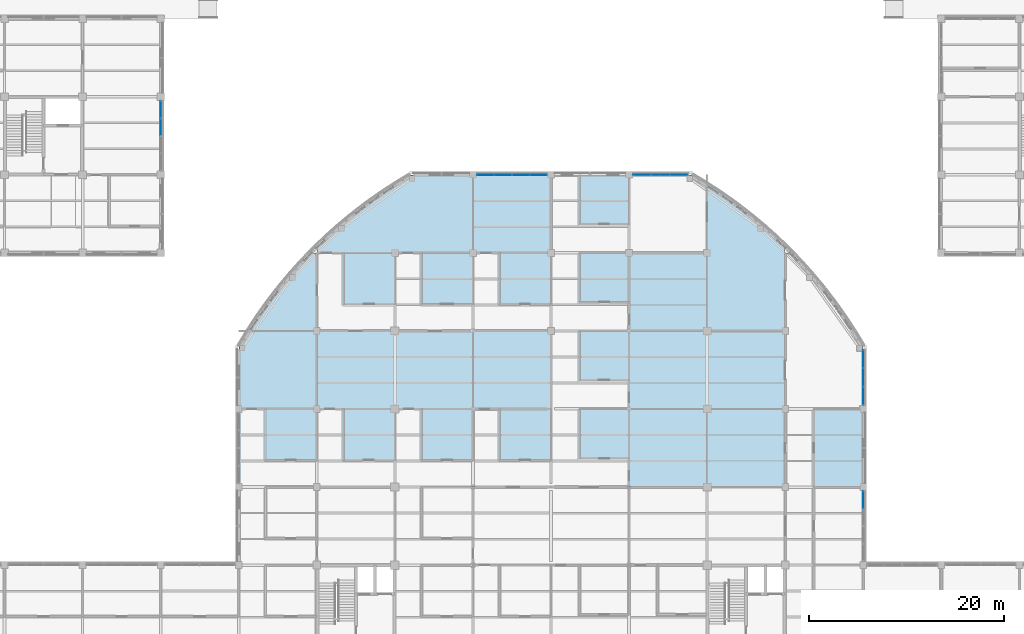
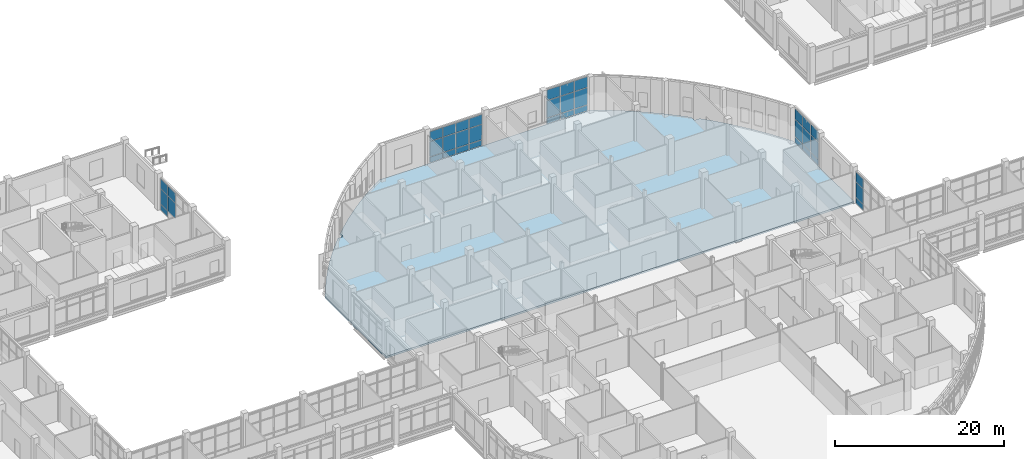
# One storey, part 53 of 105: 38 plates, 1 slab, 5 elements without a shape of their own.
"""IFC4 building model written with IfcOpenShell, lengths in metres."""

from ifc_helpers import new_model, si_unit, derived_unit, direction, frame, origin, origin_2d, place, context, subcontext, project, spatial, polyline, rectangle, outline, extrude, material, layer, layer_set, type_object, element, aggregate, save


model = new_model("IFC4")

# Units and contexts
model_context = context("Model", 3, precision=1e-05, world=origin(), true_north=direction((0.0, 1.0)))
body_context = subcontext(model_context, "Body", "Model", "MODEL_VIEW")
ifc_project = project(units=[si_unit("LENGTHUNIT", "METRE"), si_unit("AREAUNIT", "SQUARE_METRE"), si_unit("VOLUMEUNIT", "CUBIC_METRE"), si_unit("PLANEANGLEUNIT", "RADIAN"), si_unit("MASSUNIT", "GRAM", prefix="KILO"), derived_unit("THERMALTRANSMITTANCEUNIT", [(si_unit("MASSUNIT", "GRAM", prefix="KILO"), 1), (si_unit("TIMEUNIT", "SECOND"), -3), (si_unit("THERMODYNAMICTEMPERATUREUNIT", "KELVIN"), -1)])], contexts=[model_context])

# Site, building, storey
site_placement = place(None, origin())
site = spatial("IfcSite", under=ifc_project, at=site_placement, CompositionType="ELEMENT")
building_placement = place(site_placement, origin())
building = spatial("IfcBuilding", under=site, at=building_placement, Name="Veyamyaing Civic Hall", CompositionType="ELEMENT")
storey_placement = place(building_placement, origin())
storey = spatial("IfcBuildingStorey", under=building, at=storey_placement, Name="L00", CompositionType="ELEMENT", Elevation=0.0)

# Curtain wall, plates
ifc_material_1 = material(Name="Anodised aluminium 6063-T6", Category="aluminium")
ifc_layer_1 = layer(ifc_material_1, 0.159912109375, Name="Anodised aluminium 6063-T6")
ifc_layer_set_1 = layer_set([ifc_layer_1], Name="Anodised aluminium 6063-T6")
curtain_wall_type_1 = type_object("IfcCurtainWallType", Name="CW-01", PredefinedType="NOTDEFINED", material=ifc_layer_set_1)
curtain_wall_1_placement = place(storey_placement, origin())
curtain_wall_1 = element("IfcCurtainWall", 1, at=curtain_wall_1_placement, inside=storey, type_object=curtain_wall_type_1, Name="Unitized curtain wall CW-01 L00 E 6.13", PredefinedType="NOTDEFINED")
ifc_material_2 = material(Name="Low-E insulated glass", Category="glass")
ifc_layer_2 = layer(ifc_material_2, 0.028076171875, Name="Low-E insulated glass")
ifc_layer_set_2 = layer_set([ifc_layer_2], Name="Low-E insulated glass")
plate_type_1 = type_object("IfcPlateType", Name="CWP-01", PredefinedType="CURTAIN_PANEL", material=ifc_layer_set_2)
plate_1_placement = place(storey_placement, frame((48.0, 100.898681640625, 0.9326171875), z_axis=(0.0, 0.0, 1.0), x_axis=(0.0, 1.0, 0.0)))
plate_1 = element("IfcPlate", 2, at=plate_1_placement, type_object=plate_type_1, Name="CW-01 panel 3.2", PredefinedType="CURTAIN_PANEL", context=body_context, shape_type="SweptSolid", body=[
    extrude(rectangle(XDim=1.732421875, YDim=0.028076171875, at=origin_2d()), origin(), (0.0, 0.0, 1.0), 2.172607421875),
])
plate_2_placement = place(storey_placement, frame((48.0, 100.898681640625, 3.170166015625), z_axis=(0.0, 0.0, 1.0), x_axis=(0.0, 1.0, 0.0)))
plate_2 = element("IfcPlate", 3, at=plate_2_placement, type_object=plate_type_1, Name="CW-01 panel 3.3", PredefinedType="CURTAIN_PANEL", context=body_context, shape_type="SweptSolid", body=[
    extrude(rectangle(XDim=1.732421875, YDim=0.028076171875, at=origin_2d()), origin(), (0.0, 0.0, 1.0), 1.37890625),
])
plate_3_placement = place(storey_placement, frame((48.0, 102.679931640625, 0.06494140625), z_axis=(0.0, 0.0, 1.0), x_axis=(0.0, 1.0, 0.0)))
plate_3 = element("IfcPlate", 4, at=plate_3_placement, type_object=plate_type_1, Name="CW-01 panel 4.1", PredefinedType="CURTAIN_PANEL", context=body_context, shape_type="SweptSolid", body=[
    extrude(rectangle(XDim=1.699951171875, YDim=0.028076171875, at=origin_2d()), origin(), (0.0, 0.0, 1.0), 0.802490234375),
])
plate_4_placement = place(storey_placement, frame((48.0, 102.679931640625, 0.9326171875), z_axis=(0.0, 0.0, 1.0), x_axis=(0.0, 1.0, 0.0)))
plate_4 = element("IfcPlate", 5, at=plate_4_placement, type_object=plate_type_1, Name="CW-01 panel 4.2", PredefinedType="CURTAIN_PANEL", context=body_context, shape_type="SweptSolid", body=[
    extrude(rectangle(XDim=1.699951171875, YDim=0.028076171875, at=origin_2d()), origin(), (0.0, 0.0, 1.0), 2.172607421875),
])
plate_5_placement = place(storey_placement, frame((48.0, 102.679931640625, 3.170166015625), z_axis=(0.0, 0.0, 1.0), x_axis=(0.0, 1.0, 0.0)))
plate_5 = element("IfcPlate", 6, at=plate_5_placement, type_object=plate_type_1, Name="CW-01 panel 4.3", PredefinedType="CURTAIN_PANEL", context=body_context, shape_type="SweptSolid", body=[
    extrude(rectangle(XDim=1.699951171875, YDim=0.028076171875, at=origin_2d()), origin(), (0.0, 0.0, 1.0), 1.37890625),
])
aggregate(curtain_wall_1, [plate_1, plate_2, plate_3, plate_4, plate_5])

ifc_layer_3 = layer(ifc_material_1, 0.179931640625, Name="Anodised aluminium 6063-T6")
ifc_layer_set_3 = layer_set([ifc_layer_3], Name="Anodised aluminium 6063-T6")
curtain_wall_type_2 = type_object("IfcCurtainWallType", Name="CW-06", PredefinedType="NOTDEFINED", material=ifc_layer_set_3)
curtain_wall_2_placement = place(storey_placement, origin())
curtain_wall_2 = element("IfcCurtainWall", 7, at=curtain_wall_2_placement, inside=storey, type_object=curtain_wall_type_2, Name="Unitized curtain wall CW-06 L00 N 13.12", PredefinedType="NOTDEFINED")
plate_6_placement = place(storey_placement, frame((97.349609375, 96.0, 0.06494140625), z_axis=(0.0, 0.0, 1.0), x_axis=(1.0, 0.0, 0.0)))
plate_6 = element("IfcPlate", 8, at=plate_6_placement, type_object=plate_type_1, Name="CW-06 panel 1.1", PredefinedType="CURTAIN_PANEL", context=body_context, shape_type="SweptSolid", body=[
    extrude(rectangle(XDim=1.809326171875, YDim=0.028076171875, at=origin_2d()), origin(), (0.0, 0.0, 1.0), 0.802490234375),
])
plate_7_placement = place(storey_placement, frame((97.349609375, 96.0, 0.9326171875), z_axis=(0.0, 0.0, 1.0), x_axis=(1.0, 0.0, 0.0)))
plate_7 = element("IfcPlate", 9, at=plate_7_placement, type_object=plate_type_1, Name="CW-06 panel 1.2", PredefinedType="CURTAIN_PANEL", context=body_context, shape_type="SweptSolid", body=[
    extrude(rectangle(XDim=1.809326171875, YDim=0.028076171875, at=origin_2d()), origin(), (0.0, 0.0, 1.0), 2.458740234375),
])
plate_8_placement = place(storey_placement, frame((97.349609375, 96.0, 3.456298828125), z_axis=(0.0, 0.0, 1.0), x_axis=(1.0, 0.0, 0.0)))
plate_8 = element("IfcPlate", 10, at=plate_8_placement, type_object=plate_type_1, Name="CW-06 panel 1.3", PredefinedType="CURTAIN_PANEL", context=body_context, shape_type="SweptSolid", body=[
    extrude(rectangle(XDim=1.809326171875, YDim=0.028076171875, at=origin_2d()), origin(), (0.0, 0.0, 1.0), 1.513671875),
])
plate_9_placement = place(storey_placement, frame((99.240478515625, 96.0, 0.06494140625), z_axis=(0.0, 0.0, 1.0), x_axis=(1.0, 0.0, 0.0)))
plate_9 = element("IfcPlate", 11, at=plate_9_placement, type_object=plate_type_1, Name="CW-06 panel 2.1", PredefinedType="CURTAIN_PANEL", context=body_context, shape_type="SweptSolid", body=[
    extrude(rectangle(XDim=1.842041015625, YDim=0.028076171875, at=origin_2d()), origin(), (0.0, 0.0, 1.0), 0.802490234375),
])
plate_10_placement = place(storey_placement, frame((99.240478515625, 96.0, 0.9326171875), z_axis=(0.0, 0.0, 1.0), x_axis=(1.0, 0.0, 0.0)))
plate_10 = element("IfcPlate", 12, at=plate_10_placement, type_object=plate_type_1, Name="CW-06 panel 2.2", PredefinedType="CURTAIN_PANEL", context=body_context, shape_type="SweptSolid", body=[
    extrude(rectangle(XDim=1.842041015625, YDim=0.028076171875, at=origin_2d()), origin(), (0.0, 0.0, 1.0), 2.458740234375),
])
plate_11_placement = place(storey_placement, frame((99.240478515625, 96.0, 3.456298828125), z_axis=(0.0, 0.0, 1.0), x_axis=(1.0, 0.0, 0.0)))
plate_11 = element("IfcPlate", 13, at=plate_11_placement, type_object=plate_type_1, Name="CW-06 panel 2.3", PredefinedType="CURTAIN_PANEL", context=body_context, shape_type="SweptSolid", body=[
    extrude(rectangle(XDim=1.842041015625, YDim=0.028076171875, at=origin_2d()), origin(), (0.0, 0.0, 1.0), 1.513671875),
])
plate_12_placement = place(storey_placement, frame((101.131103515625, 96.0, 0.06494140625), z_axis=(0.0, 0.0, 1.0), x_axis=(1.0, 0.0, 0.0)))
plate_12 = element("IfcPlate", 14, at=plate_12_placement, type_object=plate_type_1, Name="CW-06 panel 3.1", PredefinedType="CURTAIN_PANEL", context=body_context, shape_type="SweptSolid", body=[
    extrude(rectangle(XDim=1.809326171875, YDim=0.028076171875, at=origin_2d()), origin(), (0.0, 0.0, 1.0), 0.802490234375),
])
plate_13_placement = place(storey_placement, frame((101.131103515625, 96.0, 0.9326171875), z_axis=(0.0, 0.0, 1.0), x_axis=(1.0, 0.0, 0.0)))
plate_13 = element("IfcPlate", 15, at=plate_13_placement, type_object=plate_type_1, Name="CW-06 panel 3.2", PredefinedType="CURTAIN_PANEL", context=body_context, shape_type="SweptSolid", body=[
    extrude(rectangle(XDim=1.809326171875, YDim=0.028076171875, at=origin_2d()), origin(), (0.0, 0.0, 1.0), 2.458740234375),
])
plate_14_placement = place(storey_placement, frame((101.131103515625, 96.0, 3.456298828125), z_axis=(0.0, 0.0, 1.0), x_axis=(1.0, 0.0, 0.0)))
plate_14 = element("IfcPlate", 16, at=plate_14_placement, type_object=plate_type_1, Name="CW-06 panel 3.3", PredefinedType="CURTAIN_PANEL", context=body_context, shape_type="SweptSolid", body=[
    extrude(rectangle(XDim=1.809326171875, YDim=0.028076171875, at=origin_2d()), origin(), (0.0, 0.0, 1.0), 1.513671875),
])
aggregate(curtain_wall_2, [plate_6, plate_7, plate_8, plate_9, plate_10, plate_11, plate_12, plate_13, plate_14])

curtain_wall_3_placement = place(storey_placement, origin())
curtain_wall_3 = element("IfcCurtainWall", 17, at=curtain_wall_3_placement, inside=storey, type_object=curtain_wall_type_2, Name="Unitized curtain wall CW-06 L00 E 15.10", PredefinedType="NOTDEFINED")
plate_15_placement = place(storey_placement, frame((120.0, 73.349609375, 0.06494140625), z_axis=(0.0, 0.0, 1.0), x_axis=(0.0, 1.0, 0.0)))
plate_15 = element("IfcPlate", 18, at=plate_15_placement, type_object=plate_type_1, Name="CW-06 panel 1.1", PredefinedType="CURTAIN_PANEL", context=body_context, shape_type="SweptSolid", body=[
    extrude(rectangle(XDim=1.809326171875, YDim=0.028076171875, at=origin_2d()), origin(), (0.0, 0.0, 1.0), 0.802490234375),
])
plate_16_placement = place(storey_placement, frame((120.0, 73.349609375, 0.9326171875), z_axis=(0.0, 0.0, 1.0), x_axis=(0.0, 1.0, 0.0)))
plate_16 = element("IfcPlate", 19, at=plate_16_placement, type_object=plate_type_1, Name="CW-06 panel 1.2", PredefinedType="CURTAIN_PANEL", context=body_context, shape_type="SweptSolid", body=[
    extrude(rectangle(XDim=1.809326171875, YDim=0.028076171875, at=origin_2d()), origin(), (0.0, 0.0, 1.0), 2.458740234375),
])
plate_17_placement = place(storey_placement, frame((120.0, 73.349609375, 3.456298828125), z_axis=(0.0, 0.0, 1.0), x_axis=(0.0, 1.0, 0.0)))
plate_17 = element("IfcPlate", 20, at=plate_17_placement, type_object=plate_type_1, Name="CW-06 panel 1.3", PredefinedType="CURTAIN_PANEL", context=body_context, shape_type="SweptSolid", body=[
    extrude(rectangle(XDim=1.809326171875, YDim=0.028076171875, at=origin_2d()), origin(), (0.0, 0.0, 1.0), 1.513671875),
])
plate_18_placement = place(storey_placement, frame((120.0, 75.240478515625, 0.06494140625), z_axis=(0.0, 0.0, 1.0), x_axis=(0.0, 1.0, 0.0)))
plate_18 = element("IfcPlate", 21, at=plate_18_placement, type_object=plate_type_1, Name="CW-06 panel 2.1", PredefinedType="CURTAIN_PANEL", context=body_context, shape_type="SweptSolid", body=[
    extrude(rectangle(XDim=1.842041015625, YDim=0.028076171875, at=origin_2d()), origin(), (0.0, 0.0, 1.0), 0.802490234375),
])
plate_19_placement = place(storey_placement, frame((120.0, 75.240478515625, 0.9326171875), z_axis=(0.0, 0.0, 1.0), x_axis=(0.0, 1.0, 0.0)))
plate_19 = element("IfcPlate", 22, at=plate_19_placement, type_object=plate_type_1, Name="CW-06 panel 2.2", PredefinedType="CURTAIN_PANEL", context=body_context, shape_type="SweptSolid", body=[
    extrude(rectangle(XDim=1.842041015625, YDim=0.028076171875, at=origin_2d()), origin(), (0.0, 0.0, 1.0), 2.458740234375),
])
plate_20_placement = place(storey_placement, frame((120.0, 75.240478515625, 3.456298828125), z_axis=(0.0, 0.0, 1.0), x_axis=(0.0, 1.0, 0.0)))
plate_20 = element("IfcPlate", 23, at=plate_20_placement, type_object=plate_type_1, Name="CW-06 panel 2.3", PredefinedType="CURTAIN_PANEL", context=body_context, shape_type="SweptSolid", body=[
    extrude(rectangle(XDim=1.842041015625, YDim=0.028076171875, at=origin_2d()), origin(), (0.0, 0.0, 1.0), 1.513671875),
])
plate_21_placement = place(storey_placement, frame((120.0, 77.131103515625, 0.06494140625), z_axis=(0.0, 0.0, 1.0), x_axis=(0.0, 1.0, 0.0)))
plate_21 = element("IfcPlate", 24, at=plate_21_placement, type_object=plate_type_1, Name="CW-06 panel 3.1", PredefinedType="CURTAIN_PANEL", context=body_context, shape_type="SweptSolid", body=[
    extrude(rectangle(XDim=1.809326171875, YDim=0.028076171875, at=origin_2d()), origin(), (0.0, 0.0, 1.0), 0.802490234375),
])
plate_22_placement = place(storey_placement, frame((120.0, 77.131103515625, 0.9326171875), z_axis=(0.0, 0.0, 1.0), x_axis=(0.0, 1.0, 0.0)))
plate_22 = element("IfcPlate", 25, at=plate_22_placement, type_object=plate_type_1, Name="CW-06 panel 3.2", PredefinedType="CURTAIN_PANEL", context=body_context, shape_type="SweptSolid", body=[
    extrude(rectangle(XDim=1.809326171875, YDim=0.028076171875, at=origin_2d()), origin(), (0.0, 0.0, 1.0), 2.458740234375),
])
plate_23_placement = place(storey_placement, frame((120.0, 77.131103515625, 3.456298828125), z_axis=(0.0, 0.0, 1.0), x_axis=(0.0, 1.0, 0.0)))
plate_23 = element("IfcPlate", 26, at=plate_23_placement, type_object=plate_type_1, Name="CW-06 panel 3.3", PredefinedType="CURTAIN_PANEL", context=body_context, shape_type="SweptSolid", body=[
    extrude(rectangle(XDim=1.809326171875, YDim=0.028076171875, at=origin_2d()), origin(), (0.0, 0.0, 1.0), 1.513671875),
])
aggregate(curtain_wall_3, [plate_15, plate_16, plate_17, plate_18, plate_19, plate_20, plate_21, plate_22, plate_23])

curtain_wall_4_placement = place(storey_placement, origin())
curtain_wall_4 = element("IfcCurtainWall", 27, at=curtain_wall_4_placement, inside=storey, type_object=curtain_wall_type_2, Name="Unitized curtain wall CW-06 L00 N 11.12", PredefinedType="NOTDEFINED")
ifc_layer_4 = layer(ifc_material_2, 0.0400390625, Name="Low-E insulated glass")
ifc_layer_set_4 = layer_set([ifc_layer_4], Name="Low-E insulated glass")
plate_type_2 = type_object("IfcPlateType", Name="CWP-05", PredefinedType="CURTAIN_PANEL", material=ifc_layer_set_4)
plate_24_placement = place(storey_placement, frame((81.30126953125, 96.0, 0.06494140625), z_axis=(0.0, 0.0, 1.0), x_axis=(1.0, 0.0, 0.0)))
plate_24 = element("IfcPlate", 28, at=plate_24_placement, type_object=plate_type_2, Name="CW-06 panel 1.1", PredefinedType="CURTAIN_PANEL", context=body_context, shape_type="SweptSolid", body=[
    extrude(rectangle(XDim=1.71240234375, YDim=0.0400390625, at=origin_2d()), origin(), (0.0, 0.0, 1.0), 0.802490234375),
])
plate_25_placement = place(storey_placement, frame((81.30126953125, 96.0, 0.9326171875), z_axis=(0.0, 0.0, 1.0), x_axis=(1.0, 0.0, 0.0)))
plate_25 = element("IfcPlate", 29, at=plate_25_placement, type_object=plate_type_2, Name="CW-06 panel 1.2", PredefinedType="CURTAIN_PANEL", context=body_context, shape_type="SweptSolid", body=[
    extrude(rectangle(XDim=1.71240234375, YDim=0.0400390625, at=origin_2d()), origin(), (0.0, 0.0, 1.0), 2.172607421875),
])
plate_26_placement = place(storey_placement, frame((81.30126953125, 96.0, 3.170166015625), z_axis=(0.0, 0.0, 1.0), x_axis=(1.0, 0.0, 0.0)))
plate_26 = element("IfcPlate", 30, at=plate_26_placement, type_object=plate_type_2, Name="CW-06 panel 1.3", PredefinedType="CURTAIN_PANEL", context=body_context, shape_type="SweptSolid", body=[
    extrude(rectangle(XDim=1.71240234375, YDim=0.0400390625, at=origin_2d()), origin(), (0.0, 0.0, 1.0), 1.37890625),
])
plate_27_placement = place(storey_placement, frame((83.094970703125, 96.0, 0.06494140625), z_axis=(0.0, 0.0, 1.0), x_axis=(1.0, 0.0, 0.0)))
plate_27 = element("IfcPlate", 31, at=plate_27_placement, type_object=plate_type_2, Name="CW-06 panel 2.1", PredefinedType="CURTAIN_PANEL", context=body_context, shape_type="SweptSolid", body=[
    extrude(rectangle(XDim=1.7451171875, YDim=0.0400390625, at=origin_2d()), origin(), (0.0, 0.0, 1.0), 0.802490234375),
])
plate_28_placement = place(storey_placement, frame((83.094970703125, 96.0, 0.9326171875), z_axis=(0.0, 0.0, 1.0), x_axis=(1.0, 0.0, 0.0)))
plate_28 = element("IfcPlate", 32, at=plate_28_placement, type_object=plate_type_2, Name="CW-06 panel 2.2", PredefinedType="CURTAIN_PANEL", context=body_context, shape_type="SweptSolid", body=[
    extrude(rectangle(XDim=1.7451171875, YDim=0.0400390625, at=origin_2d()), origin(), (0.0, 0.0, 1.0), 2.172607421875),
])
plate_29_placement = place(storey_placement, frame((83.094970703125, 96.0, 3.170166015625), z_axis=(0.0, 0.0, 1.0), x_axis=(1.0, 0.0, 0.0)))
plate_29 = element("IfcPlate", 33, at=plate_29_placement, type_object=plate_type_2, Name="CW-06 panel 2.3", PredefinedType="CURTAIN_PANEL", context=body_context, shape_type="SweptSolid", body=[
    extrude(rectangle(XDim=1.7451171875, YDim=0.0400390625, at=origin_2d()), origin(), (0.0, 0.0, 1.0), 1.37890625),
])
plate_30_placement = place(storey_placement, frame((84.905029296875, 96.0, 0.06494140625), z_axis=(0.0, 0.0, 1.0), x_axis=(1.0, 0.0, 0.0)))
plate_30 = element("IfcPlate", 34, at=plate_30_placement, type_object=plate_type_2, Name="CW-06 panel 3.1", PredefinedType="CURTAIN_PANEL", context=body_context, shape_type="SweptSolid", body=[
    extrude(rectangle(XDim=1.7451171875, YDim=0.0400390625, at=origin_2d()), origin(), (0.0, 0.0, 1.0), 0.802490234375),
])
plate_31_placement = place(storey_placement, frame((84.905029296875, 96.0, 0.9326171875), z_axis=(0.0, 0.0, 1.0), x_axis=(1.0, 0.0, 0.0)))
plate_31 = element("IfcPlate", 35, at=plate_31_placement, type_object=plate_type_2, Name="CW-06 panel 3.2", PredefinedType="CURTAIN_PANEL", context=body_context, shape_type="SweptSolid", body=[
    extrude(rectangle(XDim=1.7451171875, YDim=0.0400390625, at=origin_2d()), origin(), (0.0, 0.0, 1.0), 2.172607421875),
])
plate_32_placement = place(storey_placement, frame((84.905029296875, 96.0, 3.170166015625), z_axis=(0.0, 0.0, 1.0), x_axis=(1.0, 0.0, 0.0)))
plate_32 = element("IfcPlate", 36, at=plate_32_placement, type_object=plate_type_2, Name="CW-06 panel 3.3", PredefinedType="CURTAIN_PANEL", context=body_context, shape_type="SweptSolid", body=[
    extrude(rectangle(XDim=1.7451171875, YDim=0.0400390625, at=origin_2d()), origin(), (0.0, 0.0, 1.0), 1.37890625),
])
plate_33_placement = place(storey_placement, frame((86.69873046875, 96.0, 0.06494140625), z_axis=(0.0, 0.0, 1.0), x_axis=(1.0, 0.0, 0.0)))
plate_33 = element("IfcPlate", 37, at=plate_33_placement, type_object=plate_type_2, Name="CW-06 panel 4.1", PredefinedType="CURTAIN_PANEL", context=body_context, shape_type="SweptSolid", body=[
    extrude(rectangle(XDim=1.71240234375, YDim=0.0400390625, at=origin_2d()), origin(), (0.0, 0.0, 1.0), 0.802490234375),
])
plate_34_placement = place(storey_placement, frame((86.69873046875, 96.0, 0.9326171875), z_axis=(0.0, 0.0, 1.0), x_axis=(1.0, 0.0, 0.0)))
plate_34 = element("IfcPlate", 38, at=plate_34_placement, type_object=plate_type_2, Name="CW-06 panel 4.2", PredefinedType="CURTAIN_PANEL", context=body_context, shape_type="SweptSolid", body=[
    extrude(rectangle(XDim=1.71240234375, YDim=0.0400390625, at=origin_2d()), origin(), (0.0, 0.0, 1.0), 2.172607421875),
])
plate_35_placement = place(storey_placement, frame((86.69873046875, 96.0, 3.170166015625), z_axis=(0.0, 0.0, 1.0), x_axis=(1.0, 0.0, 0.0)))
plate_35 = element("IfcPlate", 39, at=plate_35_placement, type_object=plate_type_2, Name="CW-06 panel 4.3", PredefinedType="CURTAIN_PANEL", context=body_context, shape_type="SweptSolid", body=[
    extrude(rectangle(XDim=1.71240234375, YDim=0.0400390625, at=origin_2d()), origin(), (0.0, 0.0, 1.0), 1.37890625),
])
aggregate(curtain_wall_4, [plate_24, plate_25, plate_26, plate_27, plate_28, plate_29, plate_30, plate_31, plate_32, plate_33, plate_34, plate_35])

curtain_wall_5_placement = place(storey_placement, origin())
curtain_wall_5 = element("IfcCurtainWall", 40, at=curtain_wall_5_placement, inside=storey, type_object=curtain_wall_type_2, Name="Unitized curtain wall CW-06 L00 E 15.8", PredefinedType="NOTDEFINED")
plate_36_placement = place(storey_placement, frame((120.0, 62.69873046875, 0.06494140625), z_axis=(0.0, 0.0, 1.0), x_axis=(0.0, 1.0, 0.0)))
plate_36 = element("IfcPlate", 41, at=plate_36_placement, type_object=plate_type_2, Name="CW-06 panel 4.1", PredefinedType="CURTAIN_PANEL", context=body_context, shape_type="SweptSolid", body=[
    extrude(rectangle(XDim=1.71240234375, YDim=0.0400390625, at=origin_2d()), origin(), (0.0, 0.0, 1.0), 0.802490234375),
])
plate_37_placement = place(storey_placement, frame((120.0, 62.69873046875, 0.9326171875), z_axis=(0.0, 0.0, 1.0), x_axis=(0.0, 1.0, 0.0)))
plate_37 = element("IfcPlate", 42, at=plate_37_placement, type_object=plate_type_2, Name="CW-06 panel 4.2", PredefinedType="CURTAIN_PANEL", context=body_context, shape_type="SweptSolid", body=[
    extrude(rectangle(XDim=1.71240234375, YDim=0.0400390625, at=origin_2d()), origin(), (0.0, 0.0, 1.0), 2.172607421875),
])
plate_38_placement = place(storey_placement, frame((120.0, 62.69873046875, 3.170166015625), z_axis=(0.0, 0.0, 1.0), x_axis=(0.0, 1.0, 0.0)))
plate_38 = element("IfcPlate", 43, at=plate_38_placement, type_object=plate_type_2, Name="CW-06 panel 4.3", PredefinedType="CURTAIN_PANEL", context=body_context, shape_type="SweptSolid", body=[
    extrude(rectangle(XDim=1.71240234375, YDim=0.0400390625, at=origin_2d()), origin(), (0.0, 0.0, 1.0), 1.37890625),
])
aggregate(curtain_wall_5, [plate_36, plate_37, plate_38])

# Slab
ifc_material_3 = material(Name="Concrete C40/50", Category="concrete")
ifc_layer_5 = layer(ifc_material_3, 0.264892578125, Name="Concrete C40/50")
ifc_layer_set_5 = layer_set([ifc_layer_5], Name="Concrete C40/50")
slab_type = type_object("IfcSlabType", Name="SL-02", PredefinedType="FLOOR", material=ifc_layer_set_5)
slab_placement = place(storey_placement, frame((0.0, 0.0, -0.264892578125)))
element("IfcSlab", 44, at=slab_placement, inside=storey, type_object=slab_type, Name="Floor slab SL-02 L00 V1N.1", PredefinedType="FLOOR", context=body_context, shape_type="SweptSolid", body=[
    extrude(outline(polyline([(64.0, 88.730224609375), (64.9208984375, 89.6171875), (66.259521484375, 90.8134765625), (67.6416015625, 91.958740234375), (69.06591796875, 93.051513671875), (70.52978515625, 94.090087890625), (72.03173828125, 95.073486328125), (73.569091796875, 96.0), (102.430908203125, 96.0), (103.96826171875, 95.073486328125), (105.47021484375, 94.090087890625), (106.93408203125, 93.051513671875), (108.3583984375, 91.958740234375), (109.740478515625, 90.8134765625), (111.0791015625, 89.6171875), (112.0, 88.730224609375), (112.0, 88.0), (112.730224609375, 88.0), (113.6171875, 87.0791015625), (114.8134765625, 85.740478515625), (115.958740234375, 84.3583984375), (117.051513671875, 82.93408203125), (118.090087890625, 81.47021484375), (119.073486328125, 79.96826171875), (120.0, 78.430908203125), (120.0, 64.0), (56.0, 64.0), (56.0, 78.430908203125), (56.926513671875, 79.96826171875), (57.909912109375, 81.47021484375), (58.948486328125, 82.93408203125), (60.041259765625, 84.3583984375), (61.1865234375, 85.740478515625), (62.3828125, 87.0791015625), (63.269775390625, 88.0), (64.0, 88.0), (64.0, 88.730224609375)])), origin(), (0.0, 0.0, 1.0), 0.264892578125),
])

save(model, "model.ifc")
